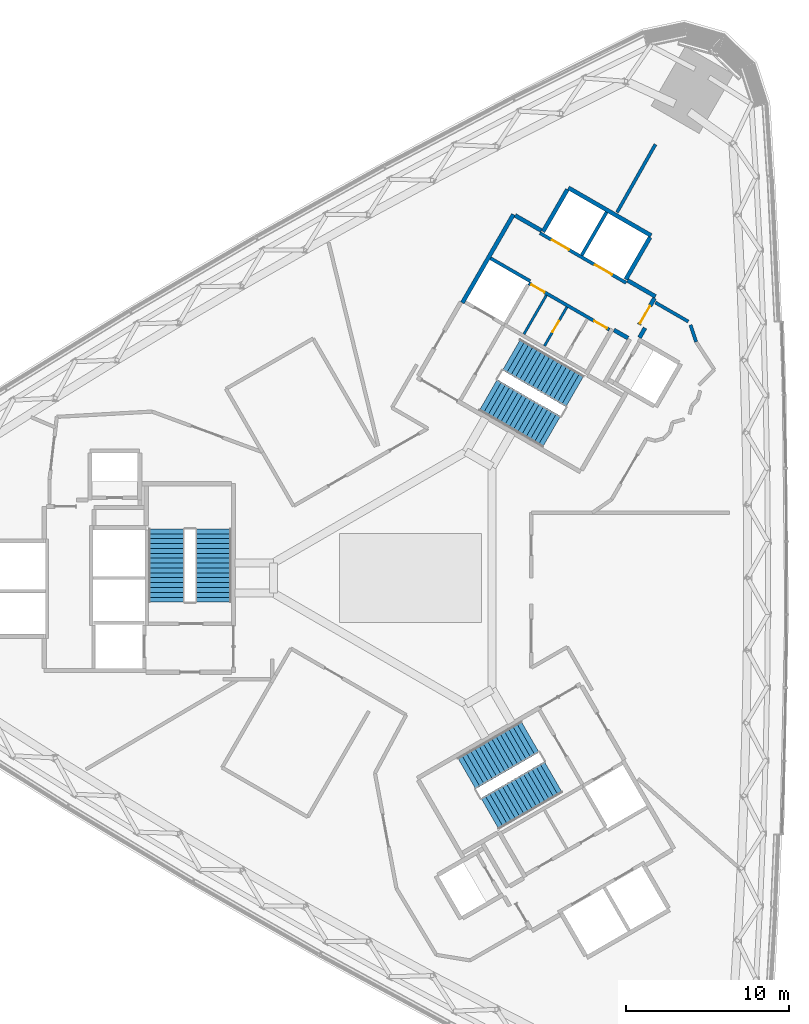
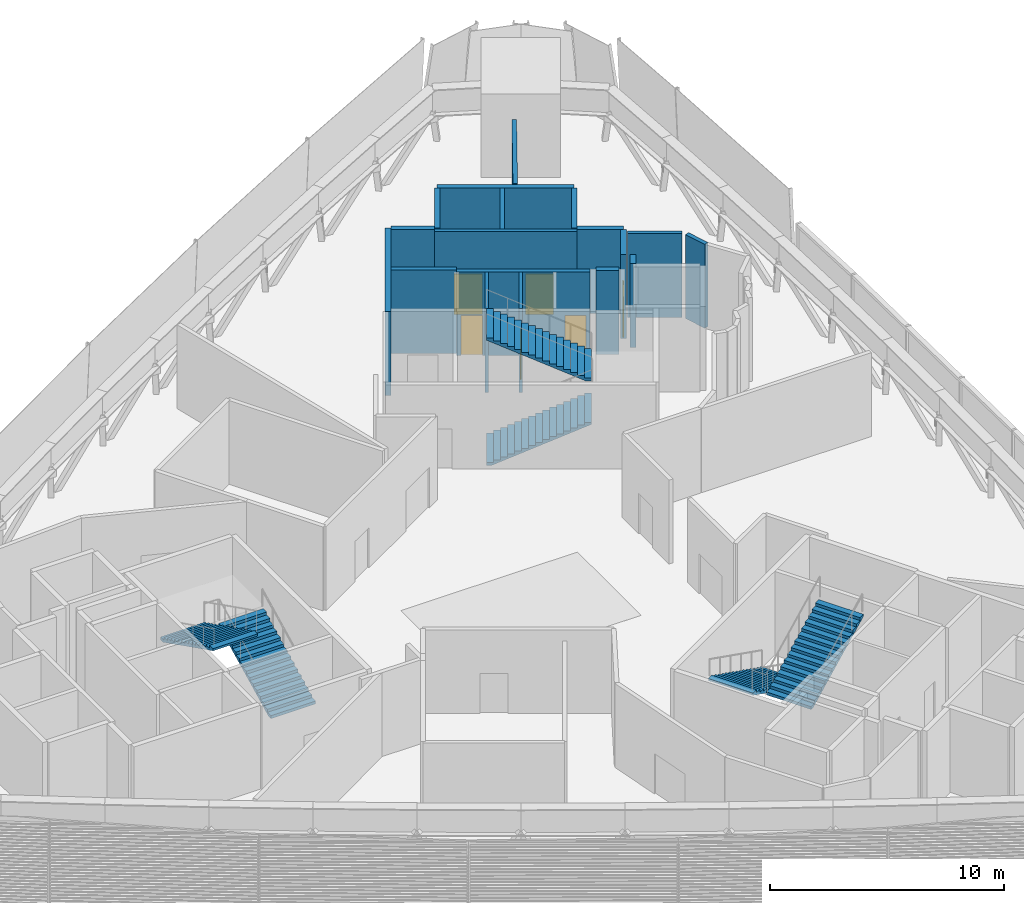
# One storey, part 15 of 19: 18 walls, 6 doors, 6 stair flights, 6 openings, 3 elements without a shape of their own.
"""IFC4 building model written with IfcOpenShell, lengths in metres."""

from ifc_helpers import new_model, si_unit, direction, frame, frame_2d, origin, place, context, subcontext, project, spatial, polyline, rectangle, outline, extrude, material, layer, layer_set, type_object, element, fill, aggregate, save


model = new_model("IFC4")

# Units and contexts
model_context = context("Model", 3, precision=1e-05, world=origin(), true_north=direction((0.0, 1.0)))
body_context = subcontext(model_context, "Body", "Model", "MODEL_VIEW")
ifc_project = project(units=[si_unit("LENGTHUNIT", "METRE"), si_unit("AREAUNIT", "SQUARE_METRE"), si_unit("VOLUMEUNIT", "CUBIC_METRE"), si_unit("PLANEANGLEUNIT", "RADIAN"), si_unit("MASSUNIT", "GRAM", prefix="KILO")], contexts=[model_context])

# Site, building, storey
site_placement = place(None, origin())
site = spatial("IfcSite", under=ifc_project, at=site_placement, CompositionType="ELEMENT")
building_placement = place(site_placement, origin())
building = spatial("IfcBuilding", under=site, at=building_placement, Name="Tamra Quay Hotel Tower", CompositionType="ELEMENT")
storey_placement = place(building_placement, frame((0.0, 0.0, 74.60009765625)))
storey = spatial("IfcBuildingStorey", under=building, at=storey_placement, Name="L17", CompositionType="ELEMENT", Elevation=74.60009765625)

# Wall, openings, doors
ifc_material_1 = material(Name="Concrete M70", Category="concrete")
ifc_layer_1 = layer(ifc_material_1, 0.199951171875)
ifc_layer_set_1 = layer_set([ifc_layer_1], Name="Concrete M70 core wall 200")
wall_type_1 = type_object("IfcWallType", Name="Concrete M70 core wall 200", PredefinedType="SHEAR", material=ifc_layer_set_1)
wall_1_placement = place(storey_placement, frame((13.209716796875, 18.07958984375, 0.0), z_axis=(0.0, 0.0, 1.0), x_axis=(-0.866030299012, 0.499991521122, 0.0)))
wall_1 = element("IfcWall", 1, at=wall_1_placement, inside=storey, type_object=wall_type_1, Name="CW2", PredefinedType="SHEAR", context=body_context, shape_type="SweptSolid", body=[
    extrude(rectangle(XDim=6.10009765625, YDim=0.199951171875, at=frame_2d((3.050048828125, 0.0))), origin(), (0.0, 0.0, 1.0), 4.375),
])
opening_1_placement = place(wall_1_placement, frame((1.0, 0.0, 0.0)))
opening_1 = element("IfcOpeningElement", 2, at=opening_1_placement, cuts=wall_1, Name="Opening LD", PredefinedType="OPENING", context=body_context, shape_type="SweptSolid", body=[
    extrude(rectangle(XDim=1.199951171875, YDim=2.10009765625, at=frame_2d((0.60009765625, 1.050048828125))), frame((0.0, 0.10986328125, 0.0), z_axis=(0.0, -1.0, 0.0), x_axis=(1.0, 0.0, 0.0)), (0.0, 0.0, 1.0), 0.219970703125),
])
opening_2_placement = place(wall_1_placement, frame((4.05029296875, 0.0, 0.0)))
opening_2 = element("IfcOpeningElement", 3, at=opening_2_placement, cuts=wall_1, Name="Opening LD", PredefinedType="OPENING", context=body_context, shape_type="SweptSolid", body=[
    extrude(rectangle(XDim=1.199951171875, YDim=2.10009765625, at=frame_2d((0.60009765625, 1.050048828125))), frame((0.0, 0.10986328125, 0.0), z_axis=(0.0, -1.0, 0.0), x_axis=(1.0, 0.0, 0.0)), (0.0, 0.0, 1.0), 0.219970703125),
])
ifc_material_2 = material(Name="Landing door LD 1200 double door sliding")
door_type_1 = type_object("IfcDoorType", Name="Landing door LD 1200 double door sliding", OperationType="DOUBLE_DOOR_SLIDING", PredefinedType="DOOR", material=ifc_material_2)
door_1_placement = place(opening_1_placement, origin())
door_1 = element("IfcDoor", 4, at=door_1_placement, inside=storey, type_object=door_type_1, Name="LD", OperationType="DOUBLE_DOOR_SLIDING", OverallHeight=2.10009765625, OverallWidth=1.199951171875, PredefinedType="DOOR", context=body_context, shape_type="SweptSolid", body=[
    extrude(rectangle(XDim=1.199951171875, YDim=2.10009765625, at=frame_2d((0.60009765625, 1.050048828125))), frame((0.0, 0.02490234375, 0.0), z_axis=(0.0, -1.0, 0.0), x_axis=(1.0, 0.0, 0.0)), (0.0, 0.0, 1.0), 0.050048828125),
])
fill(opening_1, door_1)
door_2_placement = place(opening_2_placement, origin())
door_2 = element("IfcDoor", 5, at=door_2_placement, inside=storey, type_object=door_type_1, Name="LD", OperationType="DOUBLE_DOOR_SLIDING", OverallHeight=2.10009765625, OverallWidth=1.199951171875, PredefinedType="DOOR", context=body_context, shape_type="SweptSolid", body=[
    extrude(rectangle(XDim=1.199951171875, YDim=2.10009765625, at=frame_2d((0.60009765625, 1.050048828125))), frame((0.0, 0.02490234375, 0.0), z_axis=(0.0, -1.0, 0.0), x_axis=(1.0, 0.0, 0.0)), (0.0, 0.0, 1.0), 0.050048828125),
])
fill(opening_2, door_2)

wall_2_placement = place(storey_placement, frame((12.18505859375, 15.20703125, 0.0), z_axis=(0.0, 0.0, 1.0), x_axis=(-0.866020080793, 0.500009219579, 0.0)))
wall_2 = element("IfcWall", 6, at=wall_2_placement, inside=storey, type_object=wall_type_1, Name="CW2", PredefinedType="SHEAR", context=body_context, shape_type="SweptSolid", body=[
    extrude(rectangle(XDim=5.69921875, YDim=0.199951171875, at=frame_2d((2.849609375, 0.0))), origin(), (0.0, 0.0, 1.0), 4.375),
])
opening_3_placement = place(wall_2_placement, frame((0.174072265625, 0.0, 0.0)))
opening_3 = element("IfcOpeningElement", 7, at=opening_3_placement, cuts=wall_2, Name="Opening D2", PredefinedType="OPENING", context=body_context, shape_type="SweptSolid", body=[
    extrude(rectangle(XDim=0.89990234375, YDim=2.10009765625, at=frame_2d((0.449951171875, 1.050048828125))), frame((0.0, 0.10986328125, 0.0), z_axis=(0.0, -1.0, 0.0), x_axis=(1.0, 0.0, 0.0)), (0.0, 0.0, 1.0), 0.219970703125),
])
opening_4_placement = place(wall_2_placement, frame((4.59912109375, 0.0, 0.0)))
opening_4 = element("IfcOpeningElement", 8, at=opening_4_placement, cuts=wall_2, Name="Opening D2", PredefinedType="OPENING", context=body_context, shape_type="SweptSolid", body=[
    extrude(rectangle(XDim=0.89990234375, YDim=2.10009765625, at=frame_2d((0.449951171875, 1.050048828125))), frame((0.0, 0.10986328125, 0.0), z_axis=(0.0, -1.0, 0.0), x_axis=(1.0, 0.0, 0.0)), (0.0, 0.0, 1.0), 0.219970703125),
])
ifc_material_3 = material(Name="Core door D2 900x2100 LH")
door_type_2 = type_object("IfcDoorType", Name="Core door D2 900x2100 LH", OperationType="NOTDEFINED", PredefinedType="DOOR", material=ifc_material_3)
door_3_placement = place(opening_4_placement, origin())
door_3 = element("IfcDoor", 9, at=door_3_placement, inside=storey, type_object=door_type_2, Name="D2", OperationType="SINGLE_SWING_LEFT", OverallHeight=2.10009765625, OverallWidth=0.89990234375, PredefinedType="DOOR", context=body_context, shape_type="SweptSolid", body=[
    extrude(rectangle(XDim=0.89990234375, YDim=2.10009765625, at=frame_2d((0.449951171875, 1.050048828125))), frame((0.0, 0.02490234375, 0.0), z_axis=(0.0, -1.0, 0.0), x_axis=(1.0, 0.0, 0.0)), (0.0, 0.0, 1.0), 0.050048828125),
])
fill(opening_4, door_3)
ifc_material_4 = material(Name="Core door D2 900x2100 RH")
door_type_3 = type_object("IfcDoorType", Name="Core door D2 900x2100 RH", OperationType="NOTDEFINED", PredefinedType="DOOR", material=ifc_material_4)
door_4_placement = place(opening_3_placement, origin())
door_4 = element("IfcDoor", 10, at=door_4_placement, inside=storey, type_object=door_type_3, Name="D2", OperationType="SINGLE_SWING_RIGHT", OverallHeight=2.10009765625, OverallWidth=0.89990234375, PredefinedType="DOOR", context=body_context, shape_type="SweptSolid", body=[
    extrude(rectangle(XDim=0.89990234375, YDim=2.10009765625, at=frame_2d((0.449951171875, 1.050048828125))), frame((0.0, 0.02490234375, 0.0), z_axis=(0.0, -1.0, 0.0), x_axis=(1.0, 0.0, 0.0)), (0.0, 0.0, 1.0), 0.050048828125),
])
fill(opening_3, door_4)

# Walls
wall_3_placement = place(storey_placement, frame((10.48876953125, 19.76708984375, 0.0), z_axis=(0.0, 0.0, 1.0), x_axis=(0.499946628782, 0.866056215479, 0.0)))
element("IfcWall", 11, at=wall_3_placement, inside=storey, type_object=wall_type_1, Name="CW2", PredefinedType="SHEAR", context=body_context, shape_type="SweptSolid", body=[
    extrude(rectangle(XDim=3.048095703125, YDim=0.199951171875, at=frame_2d((1.52392578125, 0.0))), origin(), (0.0, 0.0, 1.0), 4.375),
])
wall_4_placement = place(storey_placement, frame((4.900634765625, 19.5859375, 0.0), z_axis=(0.0, 0.0, 1.0), x_axis=(0.866022890907, -0.500004352405, 0.0)))
element("IfcWall", 12, at=wall_4_placement, inside=storey, type_object=wall_type_1, Name="CW2", PredefinedType="SHEAR", context=body_context, shape_type="SweptSolid", body=[
    extrude(rectangle(XDim=2.798828125, YDim=0.199951171875, at=frame_2d((1.3994140625, 0.0))), origin(), (0.0, 0.0, 1.0), 4.375),
])
ifc_layer_2 = layer(ifc_material_1, 0.25)
ifc_layer_set_2 = layer_set([ifc_layer_2], Name="Concrete M70 core wall 250")
wall_type_2 = type_object("IfcWallType", Name="Concrete M70 core wall 250", PredefinedType="SHEAR", material=ifc_layer_set_2)
wall_5_placement = place(storey_placement, frame((3.178955078125, 16.856201171875, 0.0), z_axis=(0.0, 0.0, 1.0), x_axis=(0.500004234368, 0.866022959057, 0.0)))
element("IfcWall", 13, at=wall_5_placement, inside=storey, type_object=wall_type_2, Name="CW1", PredefinedType="SHEAR", context=body_context, shape_type="SweptSolid", body=[
    extrude(rectangle(XDim=6.25, YDim=0.25, at=frame_2d((3.125, 0.0))), origin(), (0.0, 0.0, 1.0), 4.375),
])
wall_6_placement = place(storey_placement, frame((9.672607421875, 23.9033203125, 0.0), z_axis=(0.0, 0.0, 1.0), x_axis=(0.86603616409, -0.499981362141, 0.0)))
element("IfcWall", 14, at=wall_6_placement, inside=storey, type_object=wall_type_2, Name="CW1", PredefinedType="SHEAR", context=body_context, shape_type="SweptSolid", body=[
    extrude(rectangle(XDim=5.849853515625, YDim=0.25, at=frame_2d((2.9248046875, 0.0))), origin(), (0.0, 0.0, 1.0), 4.375),
])
for number, where, z_axis, x_axis, name in (
    (15, (8.12255859375, 21.21875, 0.0), (0.0, 0.0, 1.0), (0.499987686533, 0.866032512851, 0.0), "CW1"),
    (16, (14.67626953125, 20.869873046875, 0.0), (0.0, 0.0, 1.0), (-0.499987686533, -0.866032512851, 0.0), "CW1"),
):
    element("IfcWall", number, at=place(storey_placement, frame(where, z_axis=z_axis, x_axis=x_axis)), inside=storey, type_object=wall_type_2, Name=name, PredefinedType="SHEAR", context=body_context, shape_type="SweptSolid", body=[
        extrude(rectangle(XDim=2.974609375, YDim=0.25, at=frame_2d((1.4873046875, 0.0))), origin(), (0.0, 0.0, 1.0), 4.375),
    ])
wall_7_placement = place(storey_placement, frame((13.29736328125, 18.23095703125, 0.0), z_axis=(0.0, 0.0, 1.0), x_axis=(0.866043531843, -0.499968599967, 0.0)))
element("IfcWall", 17, at=wall_7_placement, inside=storey, type_object=wall_type_2, Name="CW1", PredefinedType="SHEAR", context=body_context, shape_type="SweptSolid", body=[
    extrude(rectangle(XDim=1.974853515625, YDim=0.25, at=frame_2d((0.9873046875, 0.0))), origin(), (0.0, 0.0, 1.0), 4.375),
])
wall_8_placement = place(storey_placement, frame((6.41259765625, 22.2060546875, 0.0), z_axis=(0.0, 0.0, 1.0), x_axis=(0.866016279763, -0.500015802937, 0.0)))
element("IfcWall", 18, at=wall_8_placement, inside=storey, type_object=wall_type_2, Name="CW1", PredefinedType="SHEAR", context=body_context, shape_type="SweptSolid", body=[
    extrude(rectangle(XDim=1.84912109375, YDim=0.25, at=frame_2d((0.924560546875, 0.0))), origin(), (0.0, 0.0, 1.0), 4.375),
])

# Wall, opening, door
wall_9_placement = place(storey_placement, frame((14.94482421875, 17.13525390625, 0.0), z_axis=(0.0, 0.0, 1.0), x_axis=(-0.499983108224, -0.866035156036, 0.0)))
wall_9 = element("IfcWall", 19, at=wall_9_placement, inside=storey, type_object=wall_type_2, Name="CW1", PredefinedType="SHEAR", context=body_context, shape_type="SweptSolid", body=[
    extrude(rectangle(XDim=1.86474609375, YDim=0.25, at=frame_2d((0.932373046875, 0.0))), origin(), (0.0, 0.0, 1.0), 4.375),
])
opening_5_placement = place(wall_9_placement, frame((0.53466796875, 0.0, 0.0)))
opening_5 = element("IfcOpeningElement", 20, at=opening_5_placement, cuts=wall_9, Name="Opening FD3", PredefinedType="OPENING", context=body_context, shape_type="SweptSolid", body=[
    extrude(rectangle(XDim=1.25, YDim=2.10009765625, at=frame_2d((0.625, 1.050048828125))), frame((0.0, 0.135009765625, 0.0), z_axis=(0.0, -1.0, 0.0), x_axis=(1.0, 0.0, 0.0)), (0.0, 0.0, 1.0), 0.27001953125),
])
ifc_material_5 = material(Name="Core door FD3 1250x2100 LH")
door_type_4 = type_object("IfcDoorType", Name="Core door FD3 1250x2100 LH", OperationType="NOTDEFINED", PredefinedType="DOOR", material=ifc_material_5)
door_5_placement = place(opening_5_placement, origin())
door_5 = element("IfcDoor", 21, at=door_5_placement, inside=storey, type_object=door_type_4, Name="FD3", OperationType="SINGLE_SWING_LEFT", OverallHeight=2.10009765625, OverallWidth=1.25, PredefinedType="DOOR", context=body_context, shape_type="SweptSolid", body=[
    extrude(rectangle(XDim=1.25, YDim=2.10009765625, at=frame_2d((0.625, 1.050048828125))), frame((0.0, 0.02490234375, 0.0), z_axis=(0.0, -1.0, 0.0), x_axis=(1.0, 0.0, 0.0)), (0.0, 0.0, 1.0), 0.050048828125),
])
fill(opening_5, door_5)

# Walls
wall_10_placement = place(storey_placement, frame((13.322021484375, 14.695068359375, 0.0), z_axis=(0.0, 0.0, 1.0), x_axis=(-0.866017078145, 0.500014420154, 0.0)))
element("IfcWall", 22, at=wall_10_placement, inside=storey, type_object=wall_type_2, Name="CW1", PredefinedType="SHEAR", context=body_context, shape_type="SweptSolid", body=[
    extrude(rectangle(XDim=0.9892578125, YDim=0.25, at=frame_2d((0.49462890625, 0.0))), origin(), (0.0, 0.0, 1.0), 4.375),
])
wall_11_placement = place(storey_placement, frame((14.36767578125, 15.3154296875, 0.0), z_axis=(0.0, 0.0, 1.0), x_axis=(-0.499897359611, -0.866084655132, 0.0)))
element("IfcWall", 23, at=wall_11_placement, inside=storey, type_object=wall_type_2, Name="CW1", PredefinedType="SHEAR", context=body_context, shape_type="SweptSolid", body=[
    extrude(rectangle(XDim=0.684814453125, YDim=0.25, at=frame_2d((0.34228515625, 0.0))), origin(), (0.0, 0.0, 1.0), 4.375),
])

# Wall, opening, door
ifc_material_6 = material(Name="Blockwork", Category="masonry")
ifc_layer_3 = layer(ifc_material_6, 0.14990234375)
ifc_layer_set_3 = layer_set([ifc_layer_3], Name="Core partition block 150")
wall_type_3 = type_object("IfcWallType", Name="Core partition block 150", PredefinedType="PARTITIONING", material=ifc_layer_set_3)
wall_12_placement = place(storey_placement, frame((8.20654296875, 14.214111328125, 0.0), z_axis=(0.0, 0.0, 1.0), x_axis=(0.499922376475, 0.866070215109, 0.0)))
wall_12 = element("IfcWall", 24, at=wall_12_placement, inside=storey, type_object=wall_type_3, Name="CP1", PredefinedType="PARTITIONING", context=body_context, shape_type="SweptSolid", body=[
    extrude(rectangle(XDim=2.74853515625, YDim=0.14990234375, at=frame_2d((1.374267578125, 0.0))), origin(), (0.0, 0.0, 1.0), 4.375),
])
opening_6_placement = place(wall_12_placement, frame((0.97412109375, 0.0, 0.0)))
opening_6 = element("IfcOpeningElement", 25, at=opening_6_placement, cuts=wall_12, Name="Opening D3", PredefinedType="OPENING", context=body_context, shape_type="SweptSolid", body=[
    extrude(rectangle(XDim=0.800048828125, YDim=2.10009765625, at=frame_2d((0.39990234375, 1.050048828125))), frame((0.0, 0.0849609375, 0.0), z_axis=(0.0, -1.0, 0.0), x_axis=(1.0, 0.0, 0.0)), (0.0, 0.0, 1.0), 0.169921875),
])
ifc_material_7 = material(Name="Core door D3 800x2100 RH")
door_type_5 = type_object("IfcDoorType", Name="Core door D3 800x2100 RH", OperationType="NOTDEFINED", PredefinedType="DOOR", material=ifc_material_7)
door_6_placement = place(opening_6_placement, origin())
door_6 = element("IfcDoor", 26, at=door_6_placement, inside=storey, type_object=door_type_5, Name="D3", OperationType="SINGLE_SWING_RIGHT", OverallHeight=2.10009765625, OverallWidth=0.800048828125, PredefinedType="DOOR", context=body_context, shape_type="SweptSolid", body=[
    extrude(rectangle(XDim=0.800048828125, YDim=2.10009765625, at=frame_2d((0.39990234375, 1.050048828125))), frame((0.0, 0.02490234375, 0.0), z_axis=(0.0, -1.0, 0.0), x_axis=(1.0, 0.0, 0.0)), (0.0, 0.0, 1.0), 0.050048828125),
])
fill(opening_6, door_6)

# Walls
wall_13_placement = place(storey_placement, frame((6.95068359375, 14.939208984375, 0.0), z_axis=(0.0, 0.0, 1.0), x_axis=(0.50002746344, 0.86600954718, 0.0)))
element("IfcWall", 27, at=wall_13_placement, inside=storey, type_object=wall_type_3, Name="CP1", PredefinedType="PARTITIONING", context=body_context, shape_type="SweptSolid", body=[
    extrude(rectangle(XDim=2.748291015625, YDim=0.14990234375, at=frame_2d((1.3740234375, 0.0))), origin(), (0.0, 0.0, 1.0), 4.375),
])
ifc_material_8 = material(Name="Partition corridor wall")
ifc_layer_4 = layer(ifc_material_8, 0.199951171875)
ifc_layer_set_4 = layer_set([ifc_layer_4], Name="Partition corridor wall")
wall_type_4 = type_object("IfcWallType", Name="Partition corridor wall", PredefinedType="PARTITIONING", material=ifc_layer_set_4)
wall_14_placement = place(storey_placement, frame((15.005126953125, 16.869873046875, 0.0), z_axis=(0.0, 0.0, 1.0), x_axis=(0.866005508897, -0.500034457374, 0.0)))
element("IfcWall", 28, at=wall_14_placement, inside=storey, type_object=wall_type_4, Name="W-C", PredefinedType="PARTITIONING", context=body_context, shape_type="SweptSolid", body=[
    extrude(rectangle(XDim=2.325439453125, YDim=0.199951171875, at=frame_2d((1.16259765625, 0.0))), origin(), (0.0, 0.0, 1.0), 4.375),
])
wall_15_placement = place(storey_placement, frame((17.15087890625, 15.506103515625, 0.0), z_axis=(0.0, 0.0, 1.0), x_axis=(0.313631470976, -0.949544785891, 0.0)))
element("IfcWall", 29, at=wall_15_placement, inside=storey, type_object=wall_type_4, Name="W-C", PredefinedType="PARTITIONING", context=body_context, shape_type="SweptSolid", body=[
    extrude(rectangle(XDim=1.1005859375, YDim=0.199951171875, at=frame_2d((0.55029296875, 0.0))), origin(), (0.0, 0.0, 1.0), 4.375),
])
ifc_material_9 = material(Name="Partition party wall")
ifc_layer_5 = layer(ifc_material_9, 0.199951171875)
ifc_layer_set_5 = layer_set([ifc_layer_5], Name="Partition party wall")
wall_type_5 = type_object("IfcWallType", Name="Partition party wall", PredefinedType="PARTITIONING", material=ifc_layer_set_5)
wall_16_placement = place(storey_placement, frame((12.651611328125, 22.397216796875, 0.0), z_axis=(0.0, 0.0, 1.0), x_axis=(0.491872205535, 0.870667406891, 0.0)))
element("IfcWall", 30, at=wall_16_placement, inside=storey, type_object=wall_type_5, Name="W-P", PredefinedType="PARTITIONING", context=body_context, shape_type="SweptSolid", body=[
    extrude(rectangle(XDim=4.7822265625, YDim=0.199951171875, at=frame_2d((2.39111328125, 0.0))), origin(), (0.0, 0.0, 1.0), 4.375),
])

# Stair, stair flights
ifc_material_10 = material(Name="Exit stair 2200 32 risers 150.0 going 299")
stair_type = type_object("IfcStairType", Name="Exit stair 2200 32 risers 150.0 going 299", PredefinedType="HALF_TURN_STAIR", material=ifc_material_10)
stair_1_placement = place(storey_placement, origin())
stair_1 = element("IfcStair", 31, at=stair_1_placement, inside=storey, type_object=stair_type, Name="L17 Exit stair ST3", PredefinedType="HALF_TURN_STAIR")
ifc_material_11 = material(Name="Exit stair flight 2200 16 risers 150.0")
stair_flight_type = type_object("IfcStairFlightType", Name="Exit stair flight 2200 16 risers 150.0", PredefinedType="STRAIGHT", material=ifc_material_11)
stair_flight_1_placement = place(storey_placement, frame((-12.082275390625, -1.47998046875, 0.0), z_axis=(0.0, 0.0, 1.0), x_axis=(0.0, 1.0, 0.0)))
stair_flight_1 = element("IfcStairFlight", 32, at=stair_flight_1_placement, type_object=stair_flight_type, Name="ST3 flight 1", NumberOfRisers=16, NumberOfTreads=15, PredefinedType="STRAIGHT", RiserHeight=0.15, TreadLength=0.299, context=body_context, shape_type="SweptSolid", body=[
    extrude(outline(polyline([(0.0, 0.0), (0.0, 0.14990234375), (0.299072265625, 0.14990234375), (0.299072265625, 0.300048828125), (0.597900390625, 0.300048828125), (0.597900390625, 0.449951171875), (0.89697265625, 0.449951171875), (0.89697265625, 0.60009765625), (1.196044921875, 0.60009765625), (1.196044921875, 0.75), (1.4951171875, 0.75), (1.4951171875, 0.89990234375), (1.7939453125, 0.89990234375), (1.7939453125, 1.050048828125), (2.093017578125, 1.050048828125), (2.093017578125, 1.199951171875), (2.39208984375, 1.199951171875), (2.39208984375, 1.35009765625), (2.69091796875, 1.35009765625), (2.69091796875, 1.5), (2.989990234375, 1.5), (2.989990234375, 1.64990234375), (3.2890625, 1.64990234375), (3.2890625, 1.800048828125), (3.587890625, 1.800048828125), (3.587890625, 1.949951171875), (3.886962890625, 1.949951171875), (3.886962890625, 2.10009765625), (4.18603515625, 2.10009765625), (4.18603515625, 2.25), (4.485107421875, 2.25), (4.485107421875, 2.39990234375), (4.485107421875, 2.137939453125), (0.22314453125, 0.0), (0.0, 0.0)])), frame((0.0, 1.10009765625, 0.0), z_axis=(0.0, -1.0, 0.0), x_axis=(1.0, 0.0, 0.0)), (0.0, 0.0, 1.0), 2.199951171875),
])
stair_flight_2_placement = place(storey_placement, frame((-14.94140625, 3.0048828125, 2.39990234375), z_axis=(0.0, 0.0, 1.0), x_axis=(0.0, -1.0, 0.0)))
stair_flight_2 = element("IfcStairFlight", 33, at=stair_flight_2_placement, type_object=stair_flight_type, Name="ST3 flight 2", NumberOfRisers=16, NumberOfTreads=15, PredefinedType="STRAIGHT", RiserHeight=0.15, TreadLength=0.299, context=body_context, shape_type="SweptSolid", body=[
    extrude(outline(polyline([(0.0, 0.0), (0.0, 0.14990234375), (0.299072265625, 0.14990234375), (0.299072265625, 0.300048828125), (0.597900390625, 0.300048828125), (0.597900390625, 0.449951171875), (0.89697265625, 0.449951171875), (0.89697265625, 0.60009765625), (1.196044921875, 0.60009765625), (1.196044921875, 0.75), (1.4951171875, 0.75), (1.4951171875, 0.89990234375), (1.7939453125, 0.89990234375), (1.7939453125, 1.050048828125), (2.093017578125, 1.050048828125), (2.093017578125, 1.199951171875), (2.39208984375, 1.199951171875), (2.39208984375, 1.35009765625), (2.69091796875, 1.35009765625), (2.69091796875, 1.5), (2.989990234375, 1.5), (2.989990234375, 1.64990234375), (3.2890625, 1.64990234375), (3.2890625, 1.800048828125), (3.587890625, 1.800048828125), (3.587890625, 1.949951171875), (3.886962890625, 1.949951171875), (3.886962890625, 2.10009765625), (4.18603515625, 2.10009765625), (4.18603515625, 2.25), (4.485107421875, 2.25), (4.485107421875, 2.39990234375), (4.485107421875, 2.137939453125), (0.22314453125, 0.0), (0.0, 0.0)])), frame((0.0, 1.10009765625, 0.0), z_axis=(0.0, -1.0, 0.0), x_axis=(1.0, 0.0, 0.0)), (0.0, 0.0, 1.0), 2.199951171875),
])
aggregate(stair_1, [stair_flight_1, stair_flight_2])

stair_2_placement = place(storey_placement, origin())
stair_2 = element("IfcStair", 34, at=stair_2_placement, inside=storey, type_object=stair_type, Name="L17 Exit stair ST1", PredefinedType="HALF_TURN_STAIR")
stair_flight_3_placement = place(storey_placement, frame((4.75927734375, 11.20361328125, 0.0), z_axis=(0.0, 0.0, 1.0), x_axis=(0.866025403784, -0.5, 0.0)))
stair_flight_3 = element("IfcStairFlight", 35, at=stair_flight_3_placement, type_object=stair_flight_type, Name="ST1 flight 1", NumberOfRisers=16, NumberOfTreads=15, PredefinedType="STRAIGHT", RiserHeight=0.15, TreadLength=0.299, context=body_context, shape_type="SweptSolid", body=[
    extrude(outline(polyline([(0.0, 0.0), (0.0, 0.14990234375), (0.299072265625, 0.14990234375), (0.299072265625, 0.300048828125), (0.597900390625, 0.300048828125), (0.597900390625, 0.449951171875), (0.89697265625, 0.449951171875), (0.89697265625, 0.60009765625), (1.196044921875, 0.60009765625), (1.196044921875, 0.75), (1.4951171875, 0.75), (1.4951171875, 0.89990234375), (1.7939453125, 0.89990234375), (1.7939453125, 1.050048828125), (2.093017578125, 1.050048828125), (2.093017578125, 1.199951171875), (2.39208984375, 1.199951171875), (2.39208984375, 1.35009765625), (2.69091796875, 1.35009765625), (2.69091796875, 1.5), (2.989990234375, 1.5), (2.989990234375, 1.64990234375), (3.2890625, 1.64990234375), (3.2890625, 1.800048828125), (3.587890625, 1.800048828125), (3.587890625, 1.949951171875), (3.886962890625, 1.949951171875), (3.886962890625, 2.10009765625), (4.18603515625, 2.10009765625), (4.18603515625, 2.25), (4.485107421875, 2.25), (4.485107421875, 2.39990234375), (4.485107421875, 2.137939453125), (0.22314453125, 0.0), (0.0, 0.0)])), frame((0.0, 1.10009765625, 0.0), z_axis=(0.0, -1.0, 0.0), x_axis=(1.0, 0.0, 0.0)), (0.0, 0.0, 1.0), 2.199951171875),
])
stair_flight_4_placement = place(storey_placement, frame((10.072998046875, 11.43701171875, 2.39990234375), z_axis=(0.0, 0.0, 1.0), x_axis=(-0.866025403784, 0.5, 0.0)))
stair_flight_4 = element("IfcStairFlight", 36, at=stair_flight_4_placement, type_object=stair_flight_type, Name="ST1 flight 2", NumberOfRisers=16, NumberOfTreads=15, PredefinedType="STRAIGHT", RiserHeight=0.15, TreadLength=0.299, context=body_context, shape_type="SweptSolid", body=[
    extrude(outline(polyline([(0.0, 0.0), (0.0, 0.14990234375), (0.299072265625, 0.14990234375), (0.299072265625, 0.300048828125), (0.597900390625, 0.300048828125), (0.597900390625, 0.449951171875), (0.89697265625, 0.449951171875), (0.89697265625, 0.60009765625), (1.196044921875, 0.60009765625), (1.196044921875, 0.75), (1.4951171875, 0.75), (1.4951171875, 0.89990234375), (1.7939453125, 0.89990234375), (1.7939453125, 1.050048828125), (2.093017578125, 1.050048828125), (2.093017578125, 1.199951171875), (2.39208984375, 1.199951171875), (2.39208984375, 1.35009765625), (2.69091796875, 1.35009765625), (2.69091796875, 1.5), (2.989990234375, 1.5), (2.989990234375, 1.64990234375), (3.2890625, 1.64990234375), (3.2890625, 1.800048828125), (3.587890625, 1.800048828125), (3.587890625, 1.949951171875), (3.886962890625, 1.949951171875), (3.886962890625, 2.10009765625), (4.18603515625, 2.10009765625), (4.18603515625, 2.25), (4.485107421875, 2.25), (4.485107421875, 2.39990234375), (4.485107421875, 2.137939453125), (0.22314453125, 0.0), (0.0, 0.0)])), frame((0.0, 1.10009765625, 0.0), z_axis=(0.0, -1.0, 0.0), x_axis=(1.0, 0.0, 0.0)), (0.0, 0.0, 1.0), 2.199951171875),
])
aggregate(stair_2, [stair_flight_3, stair_flight_4])

stair_3_placement = place(storey_placement, origin())
stair_3 = element("IfcStair", 37, at=stair_3_placement, inside=storey, type_object=stair_type, Name="L17 Exit stair ST2", PredefinedType="HALF_TURN_STAIR")
stair_flight_5_placement = place(storey_placement, frame((7.322998046875, -9.7236328125, 0.0), z_axis=(0.0, 0.0, 1.0), x_axis=(-0.866025403784, -0.5, 0.0)))
stair_flight_5 = element("IfcStairFlight", 38, at=stair_flight_5_placement, type_object=stair_flight_type, Name="ST2 flight 1", NumberOfRisers=16, NumberOfTreads=15, PredefinedType="STRAIGHT", RiserHeight=0.15, TreadLength=0.299, context=body_context, shape_type="SweptSolid", body=[
    extrude(outline(polyline([(0.0, 0.0), (0.0, 0.14990234375), (0.299072265625, 0.14990234375), (0.299072265625, 0.300048828125), (0.597900390625, 0.300048828125), (0.597900390625, 0.449951171875), (0.89697265625, 0.449951171875), (0.89697265625, 0.60009765625), (1.196044921875, 0.60009765625), (1.196044921875, 0.75), (1.4951171875, 0.75), (1.4951171875, 0.89990234375), (1.7939453125, 0.89990234375), (1.7939453125, 1.050048828125), (2.093017578125, 1.050048828125), (2.093017578125, 1.199951171875), (2.39208984375, 1.199951171875), (2.39208984375, 1.35009765625), (2.69091796875, 1.35009765625), (2.69091796875, 1.5), (2.989990234375, 1.5), (2.989990234375, 1.64990234375), (3.2890625, 1.64990234375), (3.2890625, 1.800048828125), (3.587890625, 1.800048828125), (3.587890625, 1.949951171875), (3.886962890625, 1.949951171875), (3.886962890625, 2.10009765625), (4.18603515625, 2.10009765625), (4.18603515625, 2.25), (4.485107421875, 2.25), (4.485107421875, 2.39990234375), (4.485107421875, 2.137939453125), (0.22314453125, 0.0), (0.0, 0.0)])), frame((0.0, 1.10009765625, 0.0), z_axis=(0.0, -1.0, 0.0), x_axis=(1.0, 0.0, 0.0)), (0.0, 0.0, 1.0), 2.199951171875),
])
stair_flight_6_placement = place(storey_placement, frame((4.868408203125, -14.44189453125, 2.39990234375), z_axis=(0.0, 0.0, 1.0), x_axis=(0.866025403784, 0.5, 0.0)))
stair_flight_6 = element("IfcStairFlight", 39, at=stair_flight_6_placement, type_object=stair_flight_type, Name="ST2 flight 2", NumberOfRisers=16, NumberOfTreads=15, PredefinedType="STRAIGHT", RiserHeight=0.15, TreadLength=0.299, context=body_context, shape_type="SweptSolid", body=[
    extrude(outline(polyline([(0.0, 0.0), (0.0, 0.14990234375), (0.299072265625, 0.14990234375), (0.299072265625, 0.300048828125), (0.597900390625, 0.300048828125), (0.597900390625, 0.449951171875), (0.89697265625, 0.449951171875), (0.89697265625, 0.60009765625), (1.196044921875, 0.60009765625), (1.196044921875, 0.75), (1.4951171875, 0.75), (1.4951171875, 0.89990234375), (1.7939453125, 0.89990234375), (1.7939453125, 1.050048828125), (2.093017578125, 1.050048828125), (2.093017578125, 1.199951171875), (2.39208984375, 1.199951171875), (2.39208984375, 1.35009765625), (2.69091796875, 1.35009765625), (2.69091796875, 1.5), (2.989990234375, 1.5), (2.989990234375, 1.64990234375), (3.2890625, 1.64990234375), (3.2890625, 1.800048828125), (3.587890625, 1.800048828125), (3.587890625, 1.949951171875), (3.886962890625, 1.949951171875), (3.886962890625, 2.10009765625), (4.18603515625, 2.10009765625), (4.18603515625, 2.25), (4.485107421875, 2.25), (4.485107421875, 2.39990234375), (4.485107421875, 2.137939453125), (0.22314453125, 0.0), (0.0, 0.0)])), frame((0.0, 1.10009765625, 0.0), z_axis=(0.0, -1.0, 0.0), x_axis=(1.0, 0.0, 0.0)), (0.0, 0.0, 1.0), 2.199951171875),
])
aggregate(stair_3, [stair_flight_5, stair_flight_6])

save(model, "model.ifc")
